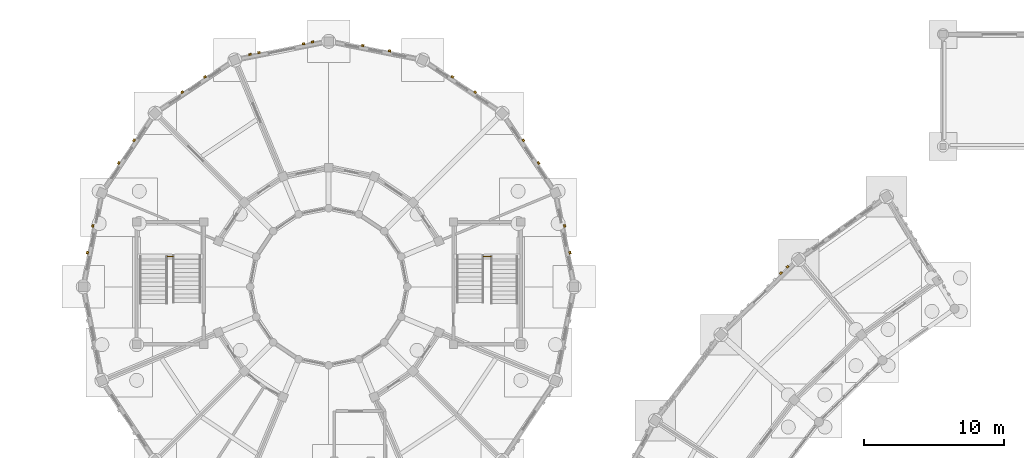
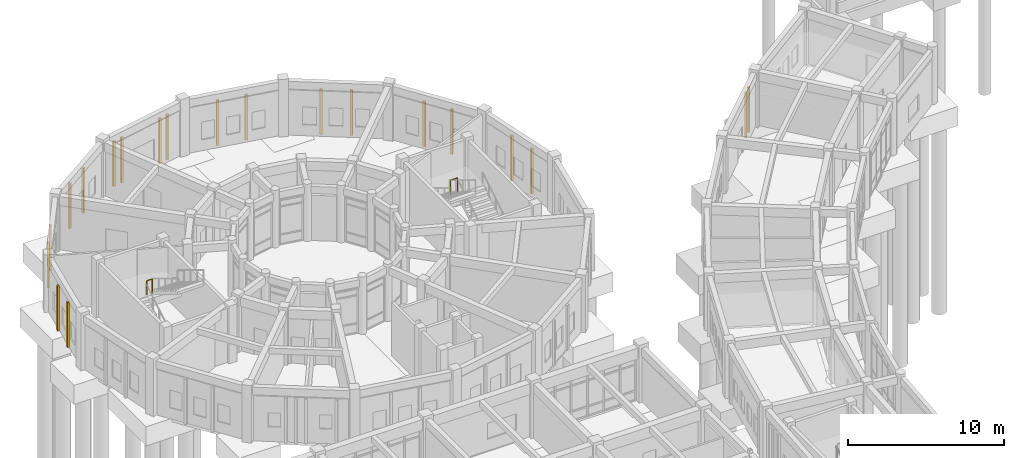
# One storey, part 147 of 153: 20 coverings, 2 railings.
"""IFC4 building model written with IfcOpenShell, lengths in metres."""

from ifc_helpers import new_model, si_unit, direction, frame, origin, origin_2d, place, context, subcontext, project, spatial, rectangle, circle, extrude, material, layer, layer_set, type_object, element, save


model = new_model("IFC4")

# Units and contexts
model_context = context("Model", 3, precision=1e-05, world=origin(), true_north=direction((0.0, 1.0)))
body_context = subcontext(model_context, "Body", "Model", "MODEL_VIEW")
ifc_project = project(units=[si_unit("LENGTHUNIT", "METRE"), si_unit("AREAUNIT", "SQUARE_METRE"), si_unit("VOLUMEUNIT", "CUBIC_METRE"), si_unit("PLANEANGLEUNIT", "RADIAN"), si_unit("MASSUNIT", "GRAM", prefix="KILO")], contexts=[model_context])

# Site, building, storey
site_placement = place(None, origin())
site = spatial("IfcSite", under=ifc_project, at=site_placement, CompositionType="ELEMENT")
building_placement = place(site_placement, origin())
building = spatial("IfcBuilding", under=site, at=building_placement, Name="Celadon Cloister-Ring School", CompositionType="ELEMENT")
storey_placement = place(building_placement, origin())
storey = spatial("IfcBuildingStorey", under=building, at=storey_placement, Name="L00", CompositionType="ELEMENT", Elevation=0.0)

# Coverings
ifc_material_1 = material(Name="Perforated terracotta clay brick masonry", Category="masonry")
ifc_layer = layer(ifc_material_1, 0.139892578125)
ifc_layer_set = layer_set([ifc_layer], Name="Perforated terracotta clay brick masonry")
covering_type = type_object("IfcCoveringType", Name="CV-SC1", PredefinedType="CLADDING", material=ifc_layer_set)
for number, where, z_axis, x_axis, name in (
    (1, (52.447021484375, 97.971923828125, 0.0), (0.0, 0.0, 1.0), (0.718672644851, 0.695348566938, 0.0), "Brick Screen Rib 0009"),
    (2, (52.9150390625, 98.424072265625, 0.0), (0.0, 0.0, 1.0), (0.718672644851, 0.695348566938, 0.0), "Brick Screen Rib 0010"),
    (3, (37.01708984375, 101.339111328125, 0.0), (0.0, 0.0, 1.0), (0.195141675546, -0.980775064153, 0.0), "Brick Screen Rib 0432"),
    (4, (37.39794921875, 99.427001953125, 0.0), (0.0, 0.0, 1.0), (0.195141675546, -0.980775064153, 0.0), "Brick Screen Rib 0433"),
    (5, (34.075927734375, 107.444091796875, 0.0), (0.0, 0.0, 1.0), (0.555686322663, -0.831392031959, 0.0), "Brick Screen Rib 0434"),
    (6, (35.159912109375, 105.822998046875, 0.0), (0.0, 0.0, 1.0), (0.555686322663, -0.831392031959, 0.0), "Brick Screen Rib 0435"),
    (7, (29.02294921875, 111.9599609375, 0.0), (0.0, 0.0, 1.0), (0.831392031959, -0.555686322663, 0.0), "Brick Screen Rib 0436"),
    (8, (30.64404296875, 110.8759765625, 0.0), (0.0, 0.0, 1.0), (0.831392031959, -0.555686322663, 0.0), "Brick Screen Rib 0437"),
    (9, (22.626953125, 114.197998046875, 0.0), (0.0, 0.0, 1.0), (0.980775064153, -0.195141675546, 0.0), "Brick Screen Rib 0438"),
    (10, (24.5390625, 113.81689453125, 0.0), (0.0, 0.0, 1.0), (0.980775064153, -0.195141675546, 0.0), "Brick Screen Rib 0439"),
    (11, (14.5859375, 113.56396484375, 0.0), (0.0, 0.0, 1.0), (0.980775064153, 0.195141675546, 0.0), "Brick Screen Rib 0440"),
    (12, (15.222900390625, 113.68994140625, 0.0), (0.0, 0.0, 1.0), (0.980775064153, 0.195141675546, 0.0), "Brick Screen Rib 0441"),
    (13, (18.410888671875, 114.324951171875, 0.0), (0.0, 0.0, 1.0), (0.980775064153, 0.195141675546, 0.0), "Brick Screen Rib 0442"),
    (14, (19.048095703125, 114.451904296875, 0.0), (0.0, 0.0, 1.0), (0.980775064153, 0.195141675546, 0.0), "Brick Screen Rib 0443"),
    (15, (9.756103515625, 110.8759765625, 0.0), (0.0, 0.0, 1.0), (0.831392031959, 0.555686322663, 0.0), "Brick Screen Rib 0444"),
    (16, (11.376953125, 111.9599609375, 0.0), (0.0, 0.0, 1.0), (0.831392031959, 0.555686322663, 0.0), "Brick Screen Rib 0445"),
    (17, (5.239990234375, 105.822998046875, 0.0), (0.0, 0.0, 1.0), (0.555686322663, 0.831392031959, 0.0), "Brick Screen Rib 0446"),
    (18, (6.323974609375, 107.444091796875, 0.0), (0.0, 0.0, 1.0), (0.555686322663, 0.831392031959, 0.0), "Brick Screen Rib 0447"),
    (19, (3.001953125, 99.427001953125, 0.0), (0.0, 0.0, 1.0), (0.195141675546, 0.980775064153, 0.0), "Brick Screen Rib 0448"),
    (20, (3.383056640625, 101.339111328125, 0.0), (0.0, 0.0, 1.0), (0.195141675546, 0.980775064153, 0.0), "Brick Screen Rib 0449"),
):
    element("IfcCovering", number, at=place(storey_placement, frame(where, z_axis=z_axis, x_axis=x_axis)), inside=storey, type_object=covering_type, Name=name, PredefinedType="CLADDING", context=body_context, shape_type="SweptSolid", body=[
        extrude(rectangle(XDim=0.179931640625, YDim=0.139892578125, at=origin_2d()), origin(), (0.0, 0.0, 1.0), 3.530029296875),
    ])

# Railings
ifc_material_2 = material(Name="Structural steel S355JR", Category="steel")
railing_type = type_object("IfcRailingType", Name="RL-BL2", PredefinedType="BALUSTRADE", material=ifc_material_2)
railing_1_placement = place(storey_placement, frame((8.699951171875, 99.155029296875, 2.25)))
element("IfcRailing", 21, at=railing_1_placement, inside=storey, type_object=railing_type, Name="Interior Guard 0117", PredefinedType="BALUSTRADE", context=body_context, shape_type="SweptSolid", body=[
    extrude(circle(Radius=0.02392578125, at=origin_2d()), frame((0.0, 0.0, 1.09619140625), z_axis=(1.0, 0.0, 0.0), x_axis=(0.0, 1.0, 0.0)), (0.0, 0.0, 1.0), 0.400146484375),
    extrude(circle(Radius=0.02099609375, at=origin_2d()), origin(), (0.0, 0.0, 1.0), 1.072021484375),
    extrude(circle(Radius=0.02099609375, at=origin_2d()), frame((0.400146484375, 0.0, 0.0)), (0.0, 0.0, 1.0), 1.072021484375),
])
railing_2_placement = place(storey_placement, frame((31.239990234375, 99.155029296875, 2.25)))
element("IfcRailing", 22, at=railing_2_placement, inside=storey, type_object=railing_type, Name="Interior Guard 0138", PredefinedType="BALUSTRADE", context=body_context, shape_type="SweptSolid", body=[
    extrude(circle(Radius=0.02392578125, at=origin_2d()), frame((0.0, 0.0, 1.09619140625), z_axis=(1.0, 0.0, 0.0), x_axis=(0.0, 1.0, 0.0)), (0.0, 0.0, 1.0), 0.52001953125),
    extrude(circle(Radius=0.02099609375, at=origin_2d()), origin(), (0.0, 0.0, 1.0), 1.072021484375),
    extrude(circle(Radius=0.02099609375, at=origin_2d()), frame((0.52001953125, 0.0, 0.0)), (0.0, 0.0, 1.0), 1.072021484375),
])

save(model, "model.ifc")
